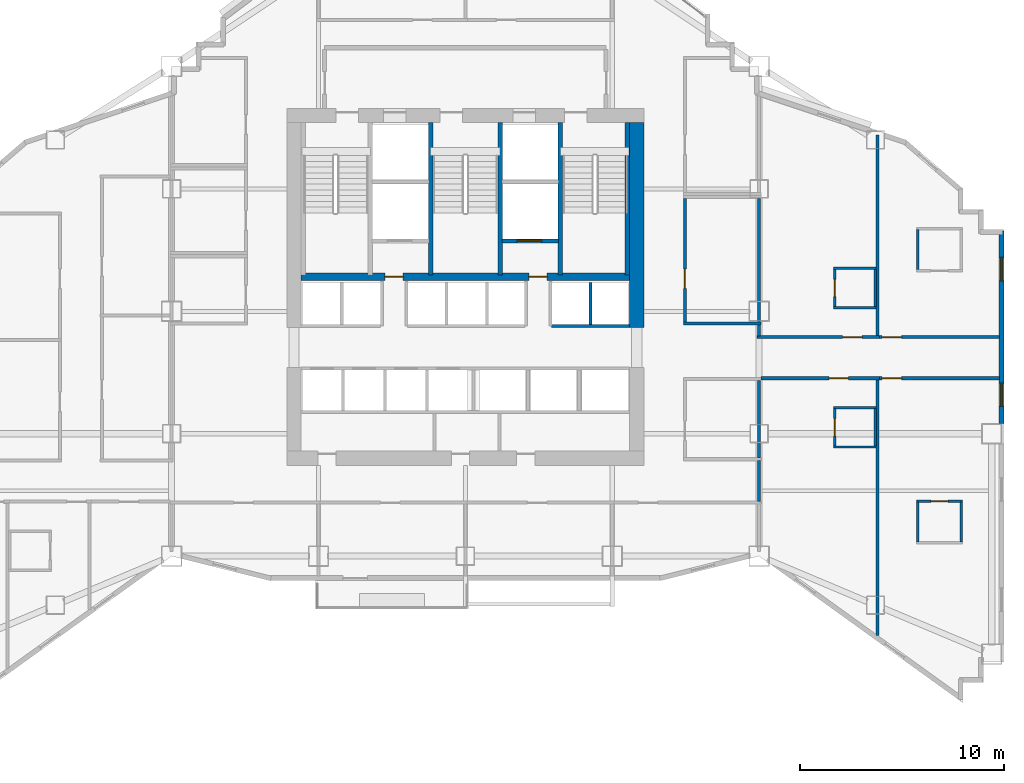
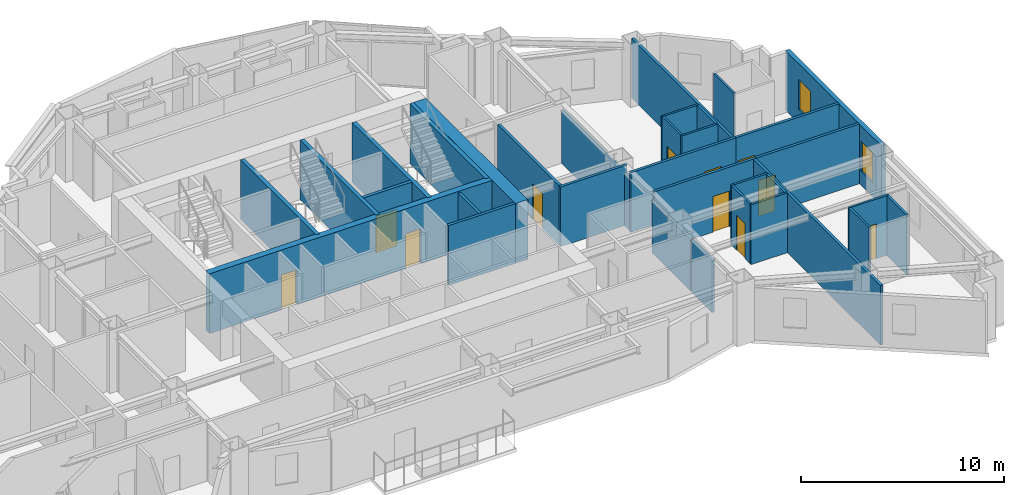
# One storey, part 8 of 13: 34 walls, 11 doors, 2 windows, 13 openings.
"""IFC4 building model written with IfcOpenShell, lengths in metres."""

from ifc_helpers import new_model, si_unit, direction, frame, frame_2d, origin, place, context, subcontext, project, spatial, rectangle, extrude, material, layer, layer_set, type_object, element, fill, save


model = new_model("IFC4")

# Units and contexts
model_context = context("Model", 3, precision=1e-05, world=origin(), true_north=direction((0.0, 1.0)))
body_context = subcontext(model_context, "Body", "Model", "MODEL_VIEW")
ifc_project = project(units=[si_unit("LENGTHUNIT", "METRE"), si_unit("AREAUNIT", "SQUARE_METRE"), si_unit("VOLUMEUNIT", "CUBIC_METRE"), si_unit("PLANEANGLEUNIT", "RADIAN"), si_unit("MASSUNIT", "GRAM", prefix="KILO")], contexts=[model_context])

# Site, building, storey
site_placement = place(None, origin())
site = spatial("IfcSite", under=ifc_project, at=site_placement, CompositionType="ELEMENT")
building_placement = place(site_placement, origin())
building = spatial("IfcBuilding", under=site, at=building_placement, Name="Haolan Belvedere Tower", CompositionType="ELEMENT")
storey_placement = place(building_placement, frame((0.0, 0.0, 102.199951171875)))
storey = spatial("IfcBuildingStorey", under=building, at=storey_placement, Name="L25", CompositionType="ELEMENT", Elevation=102.199951171875)

# Wall
ifc_material_1 = material(Name="Concrete C60/75", Category="concrete")
ifc_layer_1 = layer(ifc_material_1, 0.699951171875, Name="Concrete C60/75")
ifc_layer_set_1 = layer_set([ifc_layer_1], Name="Concrete C60/75")
wall_type_1 = type_object("IfcWallType", Name="WL-CORE-700", PredefinedType="SHEAR", material=ifc_layer_set_1)
wall_1_placement = place(storey_placement, frame((46.800048828125, 32.800048828125, 0.0), z_axis=(0.0, 0.0, 1.0), x_axis=(0.0, 1.0, 0.0)))
element("IfcWall", 1, at=wall_1_placement, inside=storey, type_object=wall_type_1, Name="L25 central core shear wall EN", PredefinedType="SHEAR", context=body_context, shape_type="SweptSolid", body=[
    extrude(rectangle(XDim=10.050048828125, YDim=0.699951171875, at=frame_2d((5.02490234375, 0.0))), origin(), (0.0, 0.0, 1.0), 3.60009765625),
])

# Wall, openings, windows
ifc_material_2 = material(Name="Precast concrete C40/50", Category="concrete")
ifc_layer_2 = layer(ifc_material_2, 0.239990234375, Name="Precast concrete C40/50")
ifc_layer_set_2 = layer_set([ifc_layer_2], Name="Precast concrete C40/50")
wall_type_2 = type_object("IfcWallType", Name="WL-EXT-240", PredefinedType="SOLIDWALL", material=ifc_layer_set_2)
wall_2_placement = place(storey_placement, frame((64.679931640625, 28.092041015625, 0.0), z_axis=(0.0, 0.0, 1.0), x_axis=(0.0, 1.0, 0.0)))
wall_2 = element("IfcWall", 2, at=wall_2_placement, inside=storey, type_object=wall_type_2, Name="L25 pale-metal exterior spandrel wall 14.2", PredefinedType="SOLIDWALL", context=body_context, shape_type="SweptSolid", body=[
    extrude(rectangle(XDim=9.44287109375, YDim=0.239990234375, at=frame_2d((4.721435546875, 0.0))), origin(), (0.0, 0.0, 1.0), 3.60009765625),
])
opening_1_placement = place(wall_2_placement, frame((0.843017578125, 0.0, 0.85009765625)))
opening_1 = element("IfcOpeningElement", 3, at=opening_1_placement, cuts=wall_2, Name="Opening W-02", PredefinedType="OPENING", context=body_context, shape_type="SweptSolid", body=[
    extrude(rectangle(XDim=1.14990234375, YDim=1.800048828125, at=frame_2d((0.574951171875, 0.89990234375))), frame((0.0, 0.1298828125, 0.0), z_axis=(0.0, -1.0, 0.0), x_axis=(1.0, 0.0, 0.0)), (0.0, 0.0, 1.0), 0.260009765625),
])
opening_2_placement = place(wall_2_placement, frame((7.0, 0.0, 0.85009765625)))
opening_2 = element("IfcOpeningElement", 4, at=opening_2_placement, cuts=wall_2, Name="Opening W-02", PredefinedType="OPENING", context=body_context, shape_type="SweptSolid", body=[
    extrude(rectangle(XDim=1.14990234375, YDim=1.800048828125, at=frame_2d((0.574951171875, 0.89990234375))), frame((0.0, 0.1298828125, 0.0), z_axis=(0.0, -1.0, 0.0), x_axis=(1.0, 0.0, 0.0)), (0.0, 0.0, 1.0), 0.260009765625),
])
ifc_material_3 = material(Name="Anodised aluminium 6063-T6 and Low-E glass", Category="aluminium")
window_type = type_object("IfcWindowType", Name="WN-DECO-Z2", PartitioningType="SINGLE_PANEL", PredefinedType="WINDOW", material=ifc_material_3)
window_1_placement = place(opening_1_placement, origin())
window_1 = element("IfcWindow", 5, at=window_1_placement, inside=storey, type_object=window_type, Name="L25 Art Deco chevron window 1", OverallHeight=1.800048828125, OverallWidth=1.14990234375, PartitioningType="SINGLE_PANEL", PredefinedType="WINDOW", context=body_context, shape_type="SweptSolid", body=[
    extrude(rectangle(XDim=1.14990234375, YDim=1.800048828125, at=frame_2d((0.574951171875, 0.89990234375))), frame((0.0, 0.030029296875, 0.0), z_axis=(0.0, -1.0, 0.0), x_axis=(1.0, 0.0, 0.0)), (0.0, 0.0, 1.0), 0.06005859375),
])
fill(opening_1, window_1)
window_2_placement = place(opening_2_placement, origin())
window_2 = element("IfcWindow", 6, at=window_2_placement, inside=storey, type_object=window_type, Name="L25 Art Deco chevron window 2", OverallHeight=1.800048828125, OverallWidth=1.14990234375, PartitioningType="SINGLE_PANEL", PredefinedType="WINDOW", context=body_context, shape_type="SweptSolid", body=[
    extrude(rectangle(XDim=1.14990234375, YDim=1.800048828125, at=frame_2d((0.574951171875, 0.89990234375))), frame((0.0, 0.030029296875, 0.0), z_axis=(0.0, -1.0, 0.0), x_axis=(1.0, 0.0, 0.0)), (0.0, 0.0, 1.0), 0.06005859375),
])
fill(opening_2, window_2)

# Wall
ifc_material_4 = material(Name="Double gypsum acoustic stud partition", Category="masonry")
ifc_layer_3 = layer(ifc_material_4, 0.14990234375, Name="Double gypsum acoustic stud partition")
ifc_layer_set_3 = layer_set([ifc_layer_3], Name="Double gypsum acoustic stud partition")
wall_type_3 = type_object("IfcWallType", Name="WL-PART-150", PredefinedType="PARTITIONING", material=ifc_layer_set_3)
wall_3_placement = place(storey_placement, frame((49.080078125, 33.0, 0.0), z_axis=(0.0, 0.0, 1.0), x_axis=(1.0, 0.0, 0.0)))
element("IfcWall", 7, at=wall_3_placement, inside=storey, type_object=wall_type_3, Name="L25 interior partition IW-L25-HSK-S", PredefinedType="PARTITIONING", context=body_context, shape_type="SweptSolid", body=[
    extrude(rectangle(XDim=3.7998046875, YDim=0.14990234375, at=frame_2d((1.89990234375, 0.0))), origin(), (0.0, 0.0, 1.0), 3.60009765625),
])

# Wall, opening, door
wall_4_placement = place(storey_placement, frame((49.159912109375, 33.06005859375, 0.0), z_axis=(0.0, 0.0, 1.0), x_axis=(0.0, 1.0, 0.0)))
wall_4 = element("IfcWall", 8, at=wall_4_placement, inside=storey, type_object=wall_type_3, Name="L25 interior partition IW-L25-HSK-W", PredefinedType="PARTITIONING", context=body_context, shape_type="SweptSolid", body=[
    extrude(rectangle(XDim=6.079833984375, YDim=0.14990234375, at=frame_2d((3.0400390625, 0.0))), origin(), (0.0, 0.0, 1.0), 3.60009765625),
])
opening_3_placement = place(wall_4_placement, frame((1.659912109375, 0.0, 0.0)))
opening_3 = element("IfcOpeningElement", 9, at=opening_3_placement, cuts=wall_4, Name="Opening ID-03", PredefinedType="OPENING", context=body_context, shape_type="SweptSolid", body=[
    extrude(rectangle(XDim=0.949951171875, YDim=2.1201171875, at=frame_2d((0.47509765625, 1.06005859375))), frame((0.0, 0.0849609375, 0.0), z_axis=(0.0, -1.0, 0.0), x_axis=(1.0, 0.0, 0.0)), (0.0, 0.0, 1.0), 0.169921875),
])
ifc_material_5 = material(Name="Painted solid-core timber", Category="wood")
door_type_1 = type_object("IfcDoorType", Name="DR-INT-950", OperationType="NOTDEFINED", PredefinedType="DOOR", material=ifc_material_5)
door_1_placement = place(opening_3_placement, origin())
door_1 = element("IfcDoor", 10, at=door_1_placement, inside=storey, type_object=door_type_1, Name="L25 door ID-L25-HSK", OperationType="SINGLE_SWING_RIGHT", OverallHeight=2.1201171875, OverallWidth=0.949951171875, PredefinedType="DOOR", context=body_context, shape_type="SweptSolid", body=[
    extrude(rectangle(XDim=0.949951171875, YDim=2.1201171875, at=frame_2d((0.47509765625, 1.06005859375))), frame((0.0, 0.02490234375, 0.0), z_axis=(0.0, -1.0, 0.0), x_axis=(1.0, 0.0, 0.0)), (0.0, 0.0, 1.0), 0.050048828125),
])
fill(opening_3, door_1)

# Walls
wall_5_placement = place(storey_placement, frame((52.800048828125, 33.06005859375, 0.0), z_axis=(0.0, 0.0, 1.0), x_axis=(0.0, 1.0, 0.0)))
element("IfcWall", 11, at=wall_5_placement, inside=storey, type_object=wall_type_3, Name="L25 interior partition IW-L25-HSK-E", PredefinedType="PARTITIONING", context=body_context, shape_type="SweptSolid", body=[
    extrude(rectangle(XDim=6.079833984375, YDim=0.14990234375, at=frame_2d((3.0400390625, 0.0))), origin(), (0.0, 0.0, 1.0), 3.14501953125),
])
wall_6_placement = place(storey_placement, frame((52.800048828125, 26.409912109375, 0.0), z_axis=(0.0, 0.0, 1.0), x_axis=(0.0, 1.0, 0.0)))
element("IfcWall", 12, at=wall_6_placement, inside=storey, type_object=wall_type_3, Name="L25 interior partition IW-L25-PKTE-E", PredefinedType="PARTITIONING", context=body_context, shape_type="SweptSolid", body=[
    extrude(rectangle(XDim=3.81005859375, YDim=0.14990234375, at=frame_2d((1.905029296875, 0.0))), origin(), (0.0, 0.0, 1.0), 3.14501953125),
])

# Wall, opening, door
wall_7_placement = place(storey_placement, frame((52.699951171875, 32.330078125, 0.0), z_axis=(0.0, 0.0, 1.0), x_axis=(1.0, 0.0, 0.0)))
wall_7 = element("IfcWall", 13, at=wall_7_placement, inside=storey, type_object=wall_type_3, Name="L25 interior partition IW-L25-T4N1-S", PredefinedType="PARTITIONING", context=body_context, shape_type="SweptSolid", body=[
    extrude(rectangle(XDim=5.989990234375, YDim=0.14990234375, at=frame_2d((2.9951171875, 0.0))), origin(), (0.0, 0.0, 1.0), 3.60009765625),
])
opening_4_placement = place(wall_7_placement, frame((4.19140625, 0.0, 0.0)))
opening_4 = element("IfcOpeningElement", 14, at=opening_4_placement, cuts=wall_7, Name="Opening ID-01", PredefinedType="OPENING", context=body_context, shape_type="SweptSolid", body=[
    extrude(rectangle(XDim=0.949951171875, YDim=2.179931640625, at=frame_2d((0.47509765625, 1.08984375))), frame((0.0, 0.0849609375, 0.0), z_axis=(0.0, -1.0, 0.0), x_axis=(1.0, 0.0, 0.0)), (0.0, 0.0, 1.0), 0.169921875),
])
ifc_material_6 = material(Name="Acoustic walnut veneer fire-rated timber", Category="wood")
door_type_2 = type_object("IfcDoorType", Name="DR-SUITE-950", OperationType="NOTDEFINED", PredefinedType="DOOR", material=ifc_material_6)
door_2_placement = place(opening_4_placement, origin())
door_2 = element("IfcDoor", 15, at=door_2_placement, inside=storey, type_object=door_type_2, Name="L25 door ID-L25-T4N1-ENT", OperationType="SINGLE_SWING_LEFT", OverallHeight=2.179931640625, OverallWidth=0.949951171875, PredefinedType="DOOR", context=body_context, shape_type="SweptSolid", body=[
    extrude(rectangle(XDim=0.949951171875, YDim=2.179931640625, at=frame_2d((0.47509765625, 1.08984375))), frame((0.0, 0.02490234375, 0.0), z_axis=(0.0, -1.0, 0.0), x_axis=(1.0, 0.0, 0.0)), (0.0, 0.0, 1.0), 0.050048828125),
])
fill(opening_4, door_2)

# Walls
wall_8_placement = place(storey_placement, frame((52.800048828125, 32.389892578125, 0.0), z_axis=(0.0, 0.0, 1.0), x_axis=(0.0, 1.0, 0.0)))
element("IfcWall", 16, at=wall_8_placement, inside=storey, type_object=wall_type_3, Name="L25 interior partition IW-L25-T4N1-W", PredefinedType="PARTITIONING", context=body_context, shape_type="SweptSolid", body=[
    extrude(rectangle(XDim=0.550048828125, YDim=0.14990234375, at=frame_2d((0.27490234375, 0.0))), origin(), (0.0, 0.0, 1.0), 3.14501953125),
])
wall_9_placement = place(storey_placement, frame((58.590087890625, 32.389892578125, 0.0), z_axis=(0.0, 0.0, 1.0), x_axis=(0.0, 1.0, 0.0)))
element("IfcWall", 17, at=wall_9_placement, inside=storey, type_object=wall_type_3, Name="L25 interior partition IW-L25-T4N1-E", PredefinedType="PARTITIONING", context=body_context, shape_type="SweptSolid", body=[
    extrude(rectangle(XDim=9.856689453125, YDim=0.14990234375, at=frame_2d((4.92822265625, 0.0))), origin(), (0.0, 0.0, 1.0), 3.60009765625),
])

# Wall, opening, door
wall_10_placement = place(storey_placement, frame((58.69189453125, 32.330078125, 0.0), z_axis=(0.0, 0.0, 1.0), x_axis=(1.0, 0.0, 0.0)))
wall_10 = element("IfcWall", 18, at=wall_10_placement, inside=storey, type_object=wall_type_3, Name="L25 interior partition IW-L25-T4N2-S", PredefinedType="PARTITIONING", context=body_context, shape_type="SweptSolid", body=[
    extrude(rectangle(XDim=5.883056640625, YDim=0.14990234375, at=frame_2d((2.94140625, 0.0))), origin(), (0.0, 0.0, 1.0), 3.60009765625),
])
opening_5_placement = place(wall_10_placement, frame((0.139892578125, 0.0, 0.0)))
opening_5 = element("IfcOpeningElement", 19, at=opening_5_placement, cuts=wall_10, Name="Opening ID-01", PredefinedType="OPENING", context=body_context, shape_type="SweptSolid", body=[
    extrude(rectangle(XDim=0.949951171875, YDim=2.179931640625, at=frame_2d((0.47509765625, 1.08984375))), frame((0.0, 0.0849609375, 0.0), z_axis=(0.0, -1.0, 0.0), x_axis=(1.0, 0.0, 0.0)), (0.0, 0.0, 1.0), 0.169921875),
])
door_3_placement = place(opening_5_placement, origin())
door_3 = element("IfcDoor", 20, at=door_3_placement, inside=storey, type_object=door_type_2, Name="L25 door ID-L25-T4N2-ENT", OperationType="SINGLE_SWING_RIGHT", OverallHeight=2.179931640625, OverallWidth=0.949951171875, PredefinedType="DOOR", context=body_context, shape_type="SweptSolid", body=[
    extrude(rectangle(XDim=0.949951171875, YDim=2.179931640625, at=frame_2d((0.47509765625, 1.08984375))), frame((0.0, 0.02490234375, 0.0), z_axis=(0.0, -1.0, 0.0), x_axis=(1.0, 0.0, 0.0)), (0.0, 0.0, 1.0), 0.050048828125),
])
fill(opening_5, door_3)

wall_11_placement = place(storey_placement, frame((52.882080078125, 30.320068359375, 0.0), z_axis=(0.0, 0.0, 1.0), x_axis=(1.0, 0.0, 0.0)))
wall_11 = element("IfcWall", 21, at=wall_11_placement, inside=storey, type_object=wall_type_3, Name="L25 interior partition IW-L25-T4S1-N", PredefinedType="PARTITIONING", context=body_context, shape_type="SweptSolid", body=[
    extrude(rectangle(XDim=5.807861328125, YDim=0.14990234375, at=frame_2d((2.90380859375, 0.0))), origin(), (0.0, 0.0, 1.0), 3.60009765625),
])
opening_6_placement = place(wall_11_placement, frame((4.290771484375, 0.0, 0.0), z_axis=(0.0, 0.0, 1.0), x_axis=(-1.0, 0.0, 0.0)))
opening_6 = element("IfcOpeningElement", 22, at=opening_6_placement, cuts=wall_11, Name="Opening ID-02", PredefinedType="OPENING", context=body_context, shape_type="SweptSolid", body=[
    extrude(rectangle(XDim=0.949951171875, YDim=2.14990234375, at=frame_2d((0.47509765625, 1.074951171875))), frame((0.0, 0.0849609375, 0.0), z_axis=(0.0, -1.0, 0.0), x_axis=(1.0, 0.0, 0.0)), (0.0, 0.0, 1.0), 0.169921875),
])
ifc_material_7 = material(Name="Acoustic oak veneer fire-rated timber", Category="wood")
door_type_3 = type_object("IfcDoorType", Name="DR-GUEST-950", OperationType="NOTDEFINED", PredefinedType="DOOR", material=ifc_material_7)
door_4_placement = place(opening_6_placement, origin())
door_4 = element("IfcDoor", 23, at=door_4_placement, inside=storey, type_object=door_type_3, Name="L25 door ID-L25-T4S1-ENT", OperationType="SINGLE_SWING_LEFT", OverallHeight=2.14990234375, OverallWidth=0.949951171875, PredefinedType="DOOR", context=body_context, shape_type="SweptSolid", body=[
    extrude(rectangle(XDim=0.949951171875, YDim=2.14990234375, at=frame_2d((0.47509765625, 1.074951171875))), frame((0.0, 0.02490234375, 0.0), z_axis=(0.0, -1.0, 0.0), x_axis=(1.0, 0.0, 0.0)), (0.0, 0.0, 1.0), 0.050048828125),
])
fill(opening_6, door_4)

# Walls
wall_12_placement = place(storey_placement, frame((52.800048828125, 24.280029296875, 0.0), z_axis=(0.0, 0.0, 1.0), x_axis=(0.0, 1.0, 0.0)))
element("IfcWall", 24, at=wall_12_placement, inside=storey, type_object=wall_type_3, Name="L25 interior partition IW-L25-T4S1-W", PredefinedType="PARTITIONING", context=body_context, shape_type="SweptSolid", body=[
    extrude(rectangle(XDim=2.010009765625, YDim=0.14990234375, at=frame_2d((1.0048828125, 0.0))), origin(), (0.0, 0.0, 1.0), 3.14501953125),
])
wall_13_placement = place(storey_placement, frame((58.590087890625, 17.70849609375, 0.0), z_axis=(0.0, 0.0, 1.0), x_axis=(0.0, 1.0, 0.0)))
element("IfcWall", 25, at=wall_13_placement, inside=storey, type_object=wall_type_3, Name="L25 interior partition IW-L25-T4S1-E", PredefinedType="PARTITIONING", context=body_context, shape_type="SweptSolid", body=[
    extrude(rectangle(XDim=12.551513671875, YDim=0.14990234375, at=frame_2d((6.27587890625, 0.0))), origin(), (0.0, 0.0, 1.0), 3.60009765625),
])

# Wall, opening, door
wall_14_placement = place(storey_placement, frame((58.69189453125, 30.320068359375, 0.0), z_axis=(0.0, 0.0, 1.0), x_axis=(1.0, 0.0, 0.0)))
wall_14 = element("IfcWall", 26, at=wall_14_placement, inside=storey, type_object=wall_type_3, Name="L25 interior partition IW-L25-T4S2-N", PredefinedType="PARTITIONING", context=body_context, shape_type="SweptSolid", body=[
    extrude(rectangle(XDim=5.883056640625, YDim=0.14990234375, at=frame_2d((2.94140625, 0.0))), origin(), (0.0, 0.0, 1.0), 3.60009765625),
])
opening_7_placement = place(wall_14_placement, frame((1.08984375, 0.0, 0.0), z_axis=(0.0, 0.0, 1.0), x_axis=(-1.0, 0.0, 0.0)))
opening_7 = element("IfcOpeningElement", 27, at=opening_7_placement, cuts=wall_14, Name="Opening ID-01", PredefinedType="OPENING", context=body_context, shape_type="SweptSolid", body=[
    extrude(rectangle(XDim=0.949951171875, YDim=2.179931640625, at=frame_2d((0.47509765625, 1.08984375))), frame((0.0, 0.0849609375, 0.0), z_axis=(0.0, -1.0, 0.0), x_axis=(1.0, 0.0, 0.0)), (0.0, 0.0, 1.0), 0.169921875),
])
door_5_placement = place(opening_7_placement, origin())
door_5 = element("IfcDoor", 28, at=door_5_placement, inside=storey, type_object=door_type_2, Name="L25 door ID-L25-T4S2-ENT", OperationType="SINGLE_SWING_RIGHT", OverallHeight=2.179931640625, OverallWidth=0.949951171875, PredefinedType="DOOR", context=body_context, shape_type="SweptSolid", body=[
    extrude(rectangle(XDim=0.949951171875, YDim=2.179931640625, at=frame_2d((0.47509765625, 1.08984375))), frame((0.0, 0.02490234375, 0.0), z_axis=(0.0, -1.0, 0.0), x_axis=(1.0, 0.0, 0.0)), (0.0, 0.0, 1.0), 0.050048828125),
])
fill(opening_7, door_5)

# Walls
ifc_material_8 = material(Name="Gypsum fire shaftwall assembly", Category="masonry")
ifc_layer_4 = layer(ifc_material_8, 0.1650390625, Name="Gypsum fire shaftwall assembly")
ifc_layer_set_4 = layer_set([ifc_layer_4], Name="Gypsum fire shaftwall assembly")
wall_type_4 = type_object("IfcWallType", Name="WL-SHAFT-160", PredefinedType="SOLIDWALL", material=ifc_layer_set_4)
wall_15_placement = place(storey_placement, frame((42.6298828125, 32.8798828125, 0.0), z_axis=(0.0, 0.0, 1.0), x_axis=(1.0, 0.0, 0.0)))
element("IfcWall", 29, at=wall_15_placement, inside=storey, type_object=wall_type_4, Name="L25 interior partition IW-L25-ROW-PN3", PredefinedType="SOLIDWALL", context=body_context, shape_type="SweptSolid", body=[
    extrude(rectangle(XDim=3.820068359375, YDim=0.159912109375, at=frame_2d((1.91015625, 0.0))), origin(), (0.0, 0.0, 1.0), 3.60009765625),
])
wall_16_placement = place(storey_placement, frame((44.530029296875, 32.949951171875, 0.0), z_axis=(0.0, 0.0, 1.0), x_axis=(0.0, 1.0, 0.0)))
element("IfcWall", 30, at=wall_16_placement, inside=storey, type_object=wall_type_4, Name="L25 interior partition IW-L25-DIV-PH2", PredefinedType="SOLIDWALL", context=body_context, shape_type="SweptSolid", body=[
    extrude(rectangle(XDim=2.050048828125, YDim=0.14990234375, at=frame_2d((1.02490234375, 0.0))), origin(), (0.0, 0.0, 1.0), 3.60009765625),
])

# Wall, opening, door
ifc_layer_5 = layer(ifc_material_2, 0.179931640625, Name="Precast concrete C40/50")
ifc_layer_set_5 = layer_set([ifc_layer_5], Name="Precast concrete C40/50")
wall_type_5 = type_object("IfcWallType", Name="WL-SHAFT-180", PredefinedType="SOLIDWALL", material=ifc_layer_set_5)
wall_17_placement = place(storey_placement, frame((40.195068359375, 37.050048828125, 0.0), z_axis=(0.0, 0.0, 1.0), x_axis=(1.0, 0.0, 0.0)))
wall_17 = element("IfcWall", 31, at=wall_17_placement, inside=storey, type_object=wall_type_5, Name="L25 interior partition IW-L25-SV2-S", PredefinedType="SOLIDWALL", context=body_context, shape_type="SweptSolid", body=[
    extrude(rectangle(XDim=2.77001953125, YDim=0.179931640625, at=frame_2d((1.385009765625, 0.0))), origin(), (0.0, 0.0, 1.0), 3.60009765625),
])
opening_8_placement = place(wall_17_placement, frame((1.945068359375, 0.0, 0.0), z_axis=(0.0, 0.0, 1.0), x_axis=(-1.0, 0.0, 0.0)))
opening_8 = element("IfcOpeningElement", 32, at=opening_8_placement, cuts=wall_17, Name="Opening LD-02", PredefinedType="OPENING", context=body_context, shape_type="SweptSolid", body=[
    extrude(rectangle(XDim=1.199951171875, YDim=2.199951171875, at=frame_2d((0.60009765625, 1.10009765625))), frame((0.0, 0.099853515625, 0.0), z_axis=(0.0, -1.0, 0.0), x_axis=(1.0, 0.0, 0.0)), (0.0, 0.0, 1.0), 0.199951171875),
])
ifc_material_9 = material(Name="Brushed champagne stainless steel 316L", Category="steel")
door_type_4 = type_object("IfcDoorType", Name="DR-LIFT-1200", OperationType="SLIDING_TO_RIGHT", PredefinedType="DOOR", material=ifc_material_9)
door_6_placement = place(opening_8_placement, origin())
door_6 = element("IfcDoor", 33, at=door_6_placement, inside=storey, type_object=door_type_4, Name="L25 door ID-L25-LD-SV2", OperationType="SLIDING_TO_RIGHT", OverallHeight=2.199951171875, OverallWidth=1.199951171875, PredefinedType="DOOR", context=body_context, shape_type="SweptSolid", body=[
    extrude(rectangle(XDim=1.199951171875, YDim=2.199951171875, at=frame_2d((0.60009765625, 1.10009765625))), frame((0.0, 0.02490234375, 0.0), z_axis=(0.0, -1.0, 0.0), x_axis=(1.0, 0.0, 0.0)), (0.0, 0.0, 1.0), 0.050048828125),
])
fill(opening_8, door_6)

# Walls
ifc_material_10 = material(Name="Concrete C50/60", Category="concrete")
ifc_layer_6 = layer(ifc_material_10, 0.219970703125, Name="Concrete C50/60")
ifc_layer_set_6 = layer_set([ifc_layer_6], Name="Concrete C50/60")
wall_type_6 = type_object("IfcWallType", Name="WL-STAIR-220", PredefinedType="SHEAR", material=ifc_layer_set_6)
for number, where, z_axis, x_axis, name in (
    (34, (36.699951171875, 35.389892578125, 0.0), (0.0, 0.0, 1.0), (0.0, 1.0, 0.0), "L25 structural stair core wall ST3W"),
    (35, (40.10009765625, 35.389892578125, 0.0), (0.0, 0.0, 1.0), (0.0, 1.0, 0.0), "L25 structural stair core wall ST3E"),
    (36, (43.06005859375, 35.389892578125, 0.0), (0.0, 0.0, 1.0), (0.0, 1.0, 0.0), "L25 structural stair core wall ST2W"),
    (37, (46.337890625, 35.389892578125, 0.0), (0.0, 0.0, 1.0), (0.0, 1.0, 0.0), "L25 structural stair core wall ST2E"),
):
    element("IfcWall", number, at=place(storey_placement, frame(where, z_axis=z_axis, x_axis=x_axis)), inside=storey, type_object=wall_type_6, Name=name, PredefinedType="SHEAR", context=body_context, shape_type="SweptSolid", body=[
        extrude(rectangle(XDim=7.460205078125, YDim=0.219970703125, at=frame_2d((3.72998046875, 0.0))), origin(), (0.0, 0.0, 1.0), 3.60009765625),
    ])

# Wall, openings, doors
ifc_layer_7 = layer(ifc_material_1, 0.360107421875, Name="Concrete C60/75")
ifc_layer_set_7 = layer_set([ifc_layer_7], Name="Concrete C60/75")
wall_type_7 = type_object("IfcWallType", Name="WL-WEB-350", PredefinedType="SHEAR", material=ifc_layer_set_7)
wall_18_placement = place(storey_placement, frame((30.35009765625, 35.2900390625, 0.0), z_axis=(0.0, 0.0, 1.0), x_axis=(1.0, 0.0, 0.0)))
wall_18 = element("IfcWall", 38, at=wall_18_placement, inside=storey, type_object=wall_type_7, Name="L25 central core internal shear web", PredefinedType="SHEAR", context=body_context, shape_type="SweptSolid", body=[
    extrude(rectangle(XDim=16.099853515625, YDim=0.360107421875, at=frame_2d((8.0498046875, 0.0))), origin(), (0.0, 0.0, 1.0), 3.60009765625),
])
opening_9_placement = place(wall_18_placement, frame((5.0, 0.0, 0.0), z_axis=(0.0, 0.0, 1.0), x_axis=(-1.0, 0.0, 0.0)))
opening_9 = element("IfcOpeningElement", 39, at=opening_9_placement, cuts=wall_18, Name="Opening FD-05", PredefinedType="OPENING", context=body_context, shape_type="SweptSolid", body=[
    extrude(rectangle(XDim=0.89990234375, YDim=2.10009765625, at=frame_2d((0.449951171875, 1.050048828125))), frame((0.0, 0.18994140625, 0.0), z_axis=(0.0, -1.0, 0.0), x_axis=(1.0, 0.0, 0.0)), (0.0, 0.0, 1.0), 0.380126953125),
])
opening_10_placement = place(wall_18_placement, frame((12.059814453125, 0.0, 0.0), z_axis=(0.0, 0.0, 1.0), x_axis=(-1.0, 0.0, 0.0)))
opening_10 = element("IfcOpeningElement", 40, at=opening_10_placement, cuts=wall_18, Name="Opening FD-05", PredefinedType="OPENING", context=body_context, shape_type="SweptSolid", body=[
    extrude(rectangle(XDim=0.89990234375, YDim=2.10009765625, at=frame_2d((0.449951171875, 1.050048828125))), frame((0.0, 0.18994140625, 0.0), z_axis=(0.0, -1.0, 0.0), x_axis=(1.0, 0.0, 0.0)), (0.0, 0.0, 1.0), 0.380126953125),
])
ifc_material_11 = material(Name="Galvanised fire-rated steel", Category="steel")
door_type_5 = type_object("IfcDoorType", Name="DR-FD60-900", OperationType="NOTDEFINED", PredefinedType="DOOR", material=ifc_material_11)
door_7_placement = place(opening_9_placement, origin())
door_7 = element("IfcDoor", 41, at=door_7_placement, inside=storey, type_object=door_type_5, Name="L25 door CD-L25-SVL-SV1", OperationType="SINGLE_SWING_RIGHT", OverallHeight=2.10009765625, OverallWidth=0.89990234375, PredefinedType="DOOR", context=body_context, shape_type="SweptSolid", body=[
    extrude(rectangle(XDim=0.89990234375, YDim=2.10009765625, at=frame_2d((0.449951171875, 1.050048828125))), frame((0.0, 0.02490234375, 0.0), z_axis=(0.0, -1.0, 0.0), x_axis=(1.0, 0.0, 0.0)), (0.0, 0.0, 1.0), 0.050048828125),
])
fill(opening_9, door_7)
door_8_placement = place(opening_10_placement, origin())
door_8 = element("IfcDoor", 42, at=door_8_placement, inside=storey, type_object=door_type_5, Name="L25 door CD-L25-SVL-SV2", OperationType="SINGLE_SWING_RIGHT", OverallHeight=2.10009765625, OverallWidth=0.89990234375, PredefinedType="DOOR", context=body_context, shape_type="SweptSolid", body=[
    extrude(rectangle(XDim=0.89990234375, YDim=2.10009765625, at=frame_2d((0.449951171875, 1.050048828125))), frame((0.0, 0.02490234375, 0.0), z_axis=(0.0, -1.0, 0.0), x_axis=(1.0, 0.0, 0.0)), (0.0, 0.0, 1.0), 0.050048828125),
])
fill(opening_10, door_8)

# Walls
ifc_material_12 = material(Name="Moisture-resistant gypsum tile partition", Category="masonry")
ifc_layer_8 = layer(ifc_material_12, 0.1201171875, Name="Moisture-resistant gypsum tile partition")
ifc_layer_set_8 = layer_set([ifc_layer_8], Name="Moisture-resistant gypsum tile partition")
wall_type_8 = type_object("IfcWallType", Name="WL-WET-120", PredefinedType="PARTITIONING", material=ifc_layer_set_8)
for number, where, z_axis, x_axis, name in (
    (43, (56.449951171875, 35.699951171875, 0.0), (0.0, 0.0, 1.0), (1.0, 0.0, 0.0), "L25 interior partition IW-L25-T4N1-BN"),
    (44, (56.449951171875, 33.780029296875, 0.0), (0.0, 0.0, 1.0), (1.0, 0.0, 0.0), "L25 interior partition IW-L25-T4N1-BS"),
):
    element("IfcWall", number, at=place(storey_placement, frame(where, z_axis=z_axis, x_axis=x_axis)), inside=storey, type_object=wall_type_8, Name=name, PredefinedType="PARTITIONING", context=body_context, shape_type="SweptSolid", body=[
        extrude(rectangle(XDim=2.080078125, YDim=0.1201171875, at=frame_2d((1.0400390625, 0.0))), origin(), (0.0, 0.0, 1.0), 3.60009765625),
    ])

# Wall, opening, door
wall_19_placement = place(storey_placement, frame((56.510009765625, 33.824951171875, 0.0), z_axis=(0.0, 0.0, 1.0), x_axis=(0.0, 1.0, 0.0)))
wall_19 = element("IfcWall", 45, at=wall_19_placement, inside=storey, type_object=wall_type_8, Name="L25 interior partition IW-L25-T4N1-BW", PredefinedType="PARTITIONING", context=body_context, shape_type="SweptSolid", body=[
    extrude(rectangle(XDim=1.830078125, YDim=0.1201171875, at=frame_2d((0.9150390625, 0.0))), origin(), (0.0, 0.0, 1.0), 3.60009765625),
])
opening_11_placement = place(wall_19_placement, frame((1.340087890625, 0.0, 0.0), z_axis=(0.0, 0.0, 1.0), x_axis=(-1.0, 0.0, 0.0)))
opening_11 = element("IfcOpeningElement", 46, at=opening_11_placement, cuts=wall_19, Name="Opening ID-05", PredefinedType="OPENING", context=body_context, shape_type="SweptSolid", body=[
    extrude(rectangle(XDim=0.85009765625, YDim=2.10009765625, at=frame_2d((0.425048828125, 1.050048828125))), frame((0.0, 0.070068359375, 0.0), z_axis=(0.0, -1.0, 0.0), x_axis=(1.0, 0.0, 0.0)), (0.0, 0.0, 1.0), 0.14013671875),
])
ifc_material_13 = material(Name="Moisture-resistant lacquered timber", Category="wood")
door_type_6 = type_object("IfcDoorType", Name="DR-BATH-850", OperationType="NOTDEFINED", PredefinedType="DOOR", material=ifc_material_13)
door_9_placement = place(opening_11_placement, origin())
door_9 = element("IfcDoor", 47, at=door_9_placement, inside=storey, type_object=door_type_6, Name="L25 door ID-L25-T4N1-BATH", OperationType="SINGLE_SWING_RIGHT", OverallHeight=2.10009765625, OverallWidth=0.85009765625, PredefinedType="DOOR", context=body_context, shape_type="SweptSolid", body=[
    extrude(rectangle(XDim=0.85009765625, YDim=2.10009765625, at=frame_2d((0.425048828125, 1.050048828125))), frame((0.0, 0.02490234375, 0.0), z_axis=(0.0, -1.0, 0.0), x_axis=(1.0, 0.0, 0.0)), (0.0, 0.0, 1.0), 0.050048828125),
])
fill(opening_11, door_9)

# Walls
wall_20_placement = place(storey_placement, frame((58.489990234375, 33.824951171875, 0.0), z_axis=(0.0, 0.0, 1.0), x_axis=(0.0, 1.0, 0.0)))
element("IfcWall", 48, at=wall_20_placement, inside=storey, type_object=wall_type_8, Name="L25 interior partition IW-L25-T4N1-BE", PredefinedType="PARTITIONING", context=body_context, shape_type="SweptSolid", body=[
    extrude(rectangle(XDim=1.830078125, YDim=0.1201171875, at=frame_2d((0.9150390625, 0.0))), origin(), (0.0, 0.0, 1.0), 3.60009765625),
])
wall_21_placement = place(storey_placement, frame((60.56201171875, 35.639892578125, 0.0), z_axis=(0.0, 0.0, 1.0), x_axis=(0.0, 1.0, 0.0)))
element("IfcWall", 49, at=wall_21_placement, inside=storey, type_object=wall_type_8, Name="L25 interior partition IW-L25-T4N2-BW", PredefinedType="PARTITIONING", context=body_context, shape_type="SweptSolid", body=[
    extrude(rectangle(XDim=1.960205078125, YDim=0.1201171875, at=frame_2d((0.97998046875, 0.0))), origin(), (0.0, 0.0, 1.0), 3.60009765625),
])
for number, where, z_axis, x_axis, name in (
    (50, (56.449951171875, 28.8701171875, 0.0), (0.0, 0.0, 1.0), (1.0, 0.0, 0.0), "L25 interior partition IW-L25-T4S1-BN"),
    (51, (56.449951171875, 26.949951171875, 0.0), (0.0, 0.0, 1.0), (1.0, 0.0, 0.0), "L25 interior partition IW-L25-T4S1-BS"),
):
    element("IfcWall", number, at=place(storey_placement, frame(where, z_axis=z_axis, x_axis=x_axis)), inside=storey, type_object=wall_type_8, Name=name, PredefinedType="PARTITIONING", context=body_context, shape_type="SweptSolid", body=[
        extrude(rectangle(XDim=2.080078125, YDim=0.1201171875, at=frame_2d((1.0400390625, 0.0))), origin(), (0.0, 0.0, 1.0), 3.60009765625),
    ])

# Wall, opening, door
wall_22_placement = place(storey_placement, frame((56.510009765625, 26.9951171875, 0.0), z_axis=(0.0, 0.0, 1.0), x_axis=(0.0, 1.0, 0.0)))
wall_22 = element("IfcWall", 52, at=wall_22_placement, inside=storey, type_object=wall_type_8, Name="L25 interior partition IW-L25-T4S1-BW", PredefinedType="PARTITIONING", context=body_context, shape_type="SweptSolid", body=[
    extrude(rectangle(XDim=1.829833984375, YDim=0.1201171875, at=frame_2d((0.9150390625, 0.0))), origin(), (0.0, 0.0, 1.0), 3.60009765625),
])
opening_12_placement = place(wall_22_placement, frame((1.340087890625, 0.0, 0.0), z_axis=(0.0, 0.0, 1.0), x_axis=(-1.0, 0.0, 0.0)))
opening_12 = element("IfcOpeningElement", 53, at=opening_12_placement, cuts=wall_22, Name="Opening ID-05", PredefinedType="OPENING", context=body_context, shape_type="SweptSolid", body=[
    extrude(rectangle(XDim=0.85009765625, YDim=2.10009765625, at=frame_2d((0.425048828125, 1.050048828125))), frame((0.0, 0.070068359375, 0.0), z_axis=(0.0, -1.0, 0.0), x_axis=(1.0, 0.0, 0.0)), (0.0, 0.0, 1.0), 0.14013671875),
])
door_10_placement = place(opening_12_placement, origin())
door_10 = element("IfcDoor", 54, at=door_10_placement, inside=storey, type_object=door_type_6, Name="L25 door ID-L25-T4S1-BATH", OperationType="SINGLE_SWING_RIGHT", OverallHeight=2.10009765625, OverallWidth=0.85009765625, PredefinedType="DOOR", context=body_context, shape_type="SweptSolid", body=[
    extrude(rectangle(XDim=0.85009765625, YDim=2.10009765625, at=frame_2d((0.425048828125, 1.050048828125))), frame((0.0, 0.02490234375, 0.0), z_axis=(0.0, -1.0, 0.0), x_axis=(1.0, 0.0, 0.0)), (0.0, 0.0, 1.0), 0.050048828125),
])
fill(opening_12, door_10)

# Wall
wall_23_placement = place(storey_placement, frame((58.489990234375, 26.9951171875, 0.0), z_axis=(0.0, 0.0, 1.0), x_axis=(0.0, 1.0, 0.0)))
element("IfcWall", 55, at=wall_23_placement, inside=storey, type_object=wall_type_8, Name="L25 interior partition IW-L25-T4S1-BE", PredefinedType="PARTITIONING", context=body_context, shape_type="SweptSolid", body=[
    extrude(rectangle(XDim=1.829833984375, YDim=0.1201171875, at=frame_2d((0.9150390625, 0.0))), origin(), (0.0, 0.0, 1.0), 3.60009765625),
])

# Wall, opening, door
wall_24_placement = place(storey_placement, frame((60.501953125, 24.300048828125, 0.0), z_axis=(0.0, 0.0, 1.0), x_axis=(1.0, 0.0, 0.0)))
wall_24 = element("IfcWall", 56, at=wall_24_placement, inside=storey, type_object=wall_type_8, Name="L25 interior partition IW-L25-T4S2-BN", PredefinedType="PARTITIONING", context=body_context, shape_type="SweptSolid", body=[
    extrude(rectangle(XDim=2.27001953125, YDim=0.1201171875, at=frame_2d((1.135009765625, 0.0))), origin(), (0.0, 0.0, 1.0), 3.60009765625),
])
opening_13_placement = place(wall_24_placement, frame((1.56005859375, 0.0, 0.0), z_axis=(0.0, 0.0, 1.0), x_axis=(-1.0, 0.0, 0.0)))
opening_13 = element("IfcOpeningElement", 57, at=opening_13_placement, cuts=wall_24, Name="Opening ID-05", PredefinedType="OPENING", context=body_context, shape_type="SweptSolid", body=[
    extrude(rectangle(XDim=0.85009765625, YDim=2.10009765625, at=frame_2d((0.425048828125, 1.050048828125))), frame((0.0, 0.070068359375, 0.0), z_axis=(0.0, -1.0, 0.0), x_axis=(1.0, 0.0, 0.0)), (0.0, 0.0, 1.0), 0.14013671875),
])
door_11_placement = place(opening_13_placement, origin())
door_11 = element("IfcDoor", 58, at=door_11_placement, inside=storey, type_object=door_type_6, Name="L25 door ID-L25-T4S2-BATH", OperationType="SINGLE_SWING_LEFT", OverallHeight=2.10009765625, OverallWidth=0.85009765625, PredefinedType="DOOR", context=body_context, shape_type="SweptSolid", body=[
    extrude(rectangle(XDim=0.85009765625, YDim=2.10009765625, at=frame_2d((0.425048828125, 1.050048828125))), frame((0.0, 0.02490234375, 0.0), z_axis=(0.0, -1.0, 0.0), x_axis=(1.0, 0.0, 0.0)), (0.0, 0.0, 1.0), 0.050048828125),
])
fill(opening_13, door_11)

# Walls
for number, where, z_axis, x_axis, name in (
    (59, (60.56201171875, 22.294921875, 0.0), (0.0, 0.0, 1.0), (0.0, 1.0, 0.0), "L25 interior partition IW-L25-T4S2-BW"),
    (60, (62.7119140625, 22.294921875, 0.0), (0.0, 0.0, 1.0), (0.0, 1.0, 0.0), "L25 interior partition IW-L25-T4S2-BE"),
):
    element("IfcWall", number, at=place(storey_placement, frame(where, z_axis=z_axis, x_axis=x_axis)), inside=storey, type_object=wall_type_8, Name=name, PredefinedType="PARTITIONING", context=body_context, shape_type="SweptSolid", body=[
        extrude(rectangle(XDim=1.9599609375, YDim=0.1201171875, at=frame_2d((0.97998046875, 0.0))), origin(), (0.0, 0.0, 1.0), 3.60009765625),
    ])

save(model, "model.ifc")
